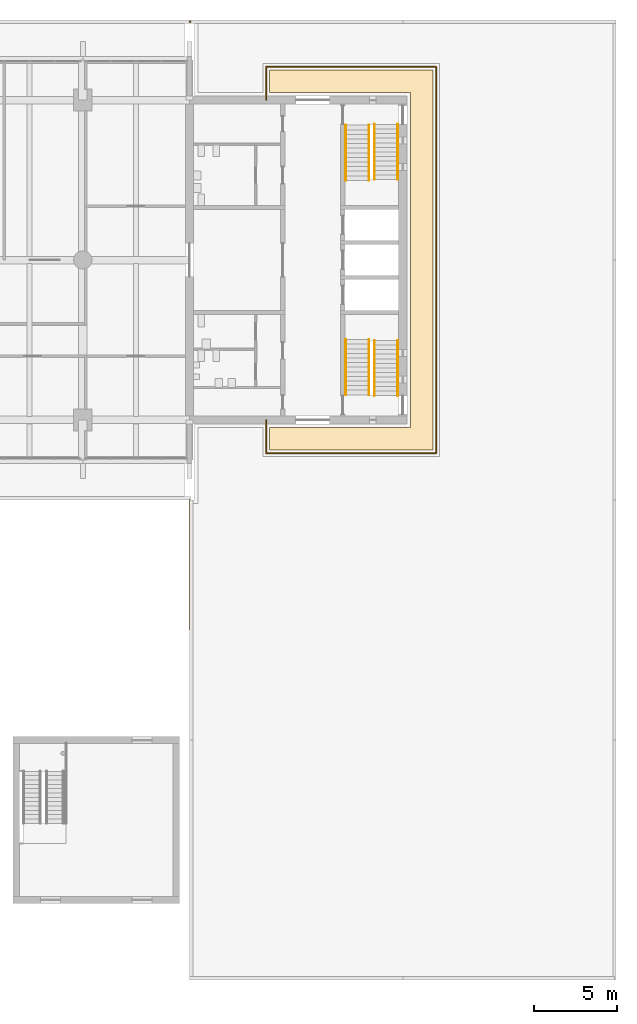
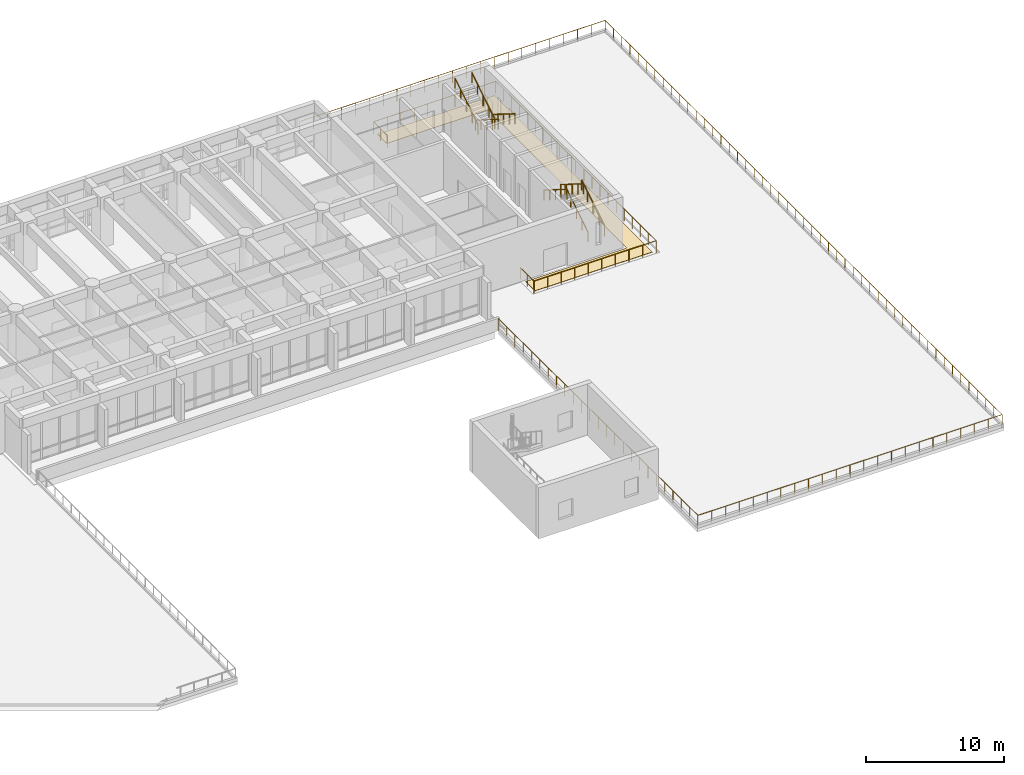
# One storey, part 20 of 21: 10 railings, 1 covering.
"""IFC4 building model written with IfcOpenShell, lengths in metres."""

from ifc_helpers import new_model, si_unit, direction, frame, origin, origin_2d, place, context, subcontext, project, spatial, polyline, circle, outline, extrude, material, layer, layer_set, type_object, element, save


model = new_model("IFC4")

# Units and contexts
model_context = context("Model", 3, precision=1e-05, world=origin(), true_north=direction((0.0, 1.0)))
body_context = subcontext(model_context, "Body", "Model", "MODEL_VIEW")
ifc_project = project(units=[si_unit("LENGTHUNIT", "METRE"), si_unit("AREAUNIT", "SQUARE_METRE"), si_unit("VOLUMEUNIT", "CUBIC_METRE"), si_unit("PLANEANGLEUNIT", "RADIAN"), si_unit("MASSUNIT", "GRAM", prefix="KILO")], contexts=[model_context])

# Site, building, storey
site_placement = place(None, origin())
site = spatial("IfcSite", under=ifc_project, at=site_placement, CompositionType="ELEMENT")
building_placement = place(site_placement, origin())
building = spatial("IfcBuilding", under=site, at=building_placement, Name="Fogon Plaza Fire Station and Headquarters Tower", CompositionType="ELEMENT")
storey_placement = place(building_placement, frame((0.0, 0.0, 8.39990234375)))
storey = spatial("IfcBuildingStorey", under=building, at=storey_placement, Name="L02", CompositionType="ELEMENT", Elevation=8.39990234375)

# Covering
ifc_material_1 = material(Name="Hardwood decking", Category="wood")
ifc_layer = layer(ifc_material_1, 0.030029296875)
ifc_layer_set = layer_set([ifc_layer], Name="Hardwood decking")
covering_type = type_object("IfcCoveringType", Name="Hardwood Terrace Decking 30", PredefinedType="FLOORING", material=ifc_layer_set)
covering_placement = place(storey_placement, origin())
element("IfcCovering", 1, at=covering_placement, inside=storey, type_object=covering_type, Name="Terrace decking E", PredefinedType="FLOORING", context=body_context, shape_type="SweptSolid", body=[
    extrude(outline(polyline([(68.800048828125, 54.60009765625), (78.60009765625, 54.60009765625), (78.60009765625, 31.800048828125), (68.800048828125, 31.800048828125), (68.800048828125, 33.14990234375), (77.25, 33.14990234375), (77.25, 53.25), (68.800048828125, 53.25), (68.800048828125, 54.60009765625)])), origin(), (0.0, 0.0, 1.0), 0.030029296875),
])

# Railings
ifc_material_2 = material(Name="Steel", Category="steel")
railing_type_1 = type_object("IfcRailingType", Name="Stair Handrail 900", PredefinedType="HANDRAIL", material=ifc_material_2)
for number, where, name in (
    (2, (76.5, 35.06005859375, 0.173095703125), "Handrail ST3"),
    (3, (75.10009765625, 35.06005859375, 0.173095703125), "Handrail ST3"),
):
    element("IfcRailing", number, at=place(storey_placement, frame(where)), inside=storey, type_object=railing_type_1, Name=name, PredefinedType="HANDRAIL", context=body_context, shape_type="SweptSolid", body=[
        extrude(circle(Radius=0.02392578125, at=origin_2d()), frame((0.0, 0.0, 0.8759765625), z_axis=(0.0, 0.847415758042, 0.530929875804), x_axis=(-1.0, 0.0, 0.0)), (0.0, 0.0, 1.0), 3.911865234375),
        extrude(circle(Radius=0.02099609375, at=origin_2d()), origin(), (0.0, 0.0, 1.0), 0.851806640625),
        extrude(circle(Radius=0.02099609375, at=origin_2d()), frame((0.0, 0.82861328125, 0.519287109375)), (0.0, 0.0, 1.0), 0.851806640625),
        extrude(circle(Radius=0.02099609375, at=origin_2d()), frame((0.0, 1.657470703125, 1.03857421875)), (0.0, 0.0, 1.0), 0.851806640625),
        extrude(circle(Radius=0.02099609375, at=origin_2d()), frame((0.0, 2.486328125, 1.5576171875)), (0.0, 0.0, 1.0), 0.851806640625),
        extrude(circle(Radius=0.02099609375, at=origin_2d()), frame((0.0, 3.31494140625, 2.076904296875)), (0.0, 0.0, 1.0), 0.851806640625),
    ])
for number, where, name in (
    (4, (73.375, 38.425048828125, 2.423095703125), "Handrail ST3"),
    (5, (74.77490234375, 38.425048828125, 2.423095703125), "Handrail ST3"),
):
    element("IfcRailing", number, at=place(storey_placement, frame(where)), inside=storey, type_object=railing_type_1, Name=name, PredefinedType="HANDRAIL", context=body_context, shape_type="SweptSolid", body=[
        extrude(circle(Radius=0.02392578125, at=origin_2d()), frame((0.0, 0.0, 0.8759765625), z_axis=(0.0, -0.847415758042, 0.530929875804), x_axis=(1.0, 0.0, 0.0)), (0.0, 0.0, 1.0), 3.911865234375),
        extrude(circle(Radius=0.02099609375, at=origin_2d()), origin(), (0.0, 0.0, 1.0), 0.851806640625),
        extrude(circle(Radius=0.02099609375, at=origin_2d()), frame((0.0, -0.82861328125, 0.519287109375)), (0.0, 0.0, 1.0), 0.851806640625),
        extrude(circle(Radius=0.02099609375, at=origin_2d()), frame((0.0, -1.657470703125, 1.03857421875)), (0.0, 0.0, 1.0), 0.851806640625),
        extrude(circle(Radius=0.02099609375, at=origin_2d()), frame((0.0, -2.486328125, 1.5576171875)), (0.0, 0.0, 1.0), 0.851806640625),
        extrude(circle(Radius=0.02099609375, at=origin_2d()), frame((0.0, -3.31494140625, 2.076904296875)), (0.0, 0.0, 1.0), 0.851806640625),
    ])
for number, where, name in (
    (6, (76.5, 51.340087890625, 0.173095703125), "Handrail ST4"),
    (7, (75.10009765625, 51.340087890625, 0.173095703125), "Handrail ST4"),
):
    element("IfcRailing", number, at=place(storey_placement, frame(where)), inside=storey, type_object=railing_type_1, Name=name, PredefinedType="HANDRAIL", context=body_context, shape_type="SweptSolid", body=[
        extrude(circle(Radius=0.02392578125, at=origin_2d()), frame((0.0, 0.0, 0.8759765625), z_axis=(0.0, -0.847433349451, 0.53090179717), x_axis=(1.0, 0.0, 0.0)), (0.0, 0.0, 1.0), 3.912109375),
        extrude(circle(Radius=0.02099609375, at=origin_2d()), origin(), (0.0, 0.0, 1.0), 0.851806640625),
        extrude(circle(Radius=0.02099609375, at=origin_2d()), frame((0.0, -0.828857421875, 0.519287109375)), (0.0, 0.0, 1.0), 0.851806640625),
        extrude(circle(Radius=0.02099609375, at=origin_2d()), frame((0.0, -1.65771484375, 1.03857421875)), (0.0, 0.0, 1.0), 0.851806640625),
        extrude(circle(Radius=0.02099609375, at=origin_2d()), frame((0.0, -2.486328125, 1.5576171875)), (0.0, 0.0, 1.0), 0.851806640625),
        extrude(circle(Radius=0.02099609375, at=origin_2d()), frame((0.0, -3.315185546875, 2.076904296875)), (0.0, 0.0, 1.0), 0.851806640625),
    ])
for number, where, name in (
    (8, (73.375, 47.97509765625, 2.423095703125), "Handrail ST4"),
    (9, (74.77490234375, 47.97509765625, 2.423095703125), "Handrail ST4"),
):
    element("IfcRailing", number, at=place(storey_placement, frame(where)), inside=storey, type_object=railing_type_1, Name=name, PredefinedType="HANDRAIL", context=body_context, shape_type="SweptSolid", body=[
        extrude(circle(Radius=0.02392578125, at=origin_2d()), frame((0.0, 0.0, 0.8759765625), z_axis=(0.0, 0.847415758042, 0.530929875804), x_axis=(-1.0, 0.0, 0.0)), (0.0, 0.0, 1.0), 3.911865234375),
        extrude(circle(Radius=0.02099609375, at=origin_2d()), origin(), (0.0, 0.0, 1.0), 0.851806640625),
        extrude(circle(Radius=0.02099609375, at=origin_2d()), frame((0.0, 0.82861328125, 0.519287109375)), (0.0, 0.0, 1.0), 0.851806640625),
        extrude(circle(Radius=0.02099609375, at=origin_2d()), frame((0.0, 1.657470703125, 1.03857421875)), (0.0, 0.0, 1.0), 0.851806640625),
        extrude(circle(Radius=0.02099609375, at=origin_2d()), frame((0.0, 2.486328125, 1.5576171875)), (0.0, 0.0, 1.0), 0.851806640625),
        extrude(circle(Radius=0.02099609375, at=origin_2d()), frame((0.0, 3.31494140625, 2.076904296875)), (0.0, 0.0, 1.0), 0.851806640625),
    ])
ifc_material_3 = material(Name="Galvanised Steel", Category="steel")
railing_type_2 = type_object("IfcRailingType", Name="Terrace Guard Steel 1100", PredefinedType="GUARDRAIL", material=ifc_material_3)
railing_1_placement = place(storey_placement, frame((64.0, 28.800048828125, 0.0)))
element("IfcRailing", 10, at=railing_1_placement, inside=storey, type_object=railing_type_2, Name="rail-L02-terrace-TE", PredefinedType="GUARDRAIL", context=body_context, shape_type="SweptSolid", body=[
    extrude(circle(Radius=0.02392578125, at=origin_2d()), frame((0.0, 0.0, 1.076171875), z_axis=(0.003487707935, -0.999993917928, 0.0), x_axis=(0.999993917928, 0.003487707935, 0.0)), (0.0, 0.0, 1.0), 28.7001953125),
    extrude(circle(Radius=0.02392578125, at=origin_2d()), frame((0.10009765625, -28.699951171875, 1.076171875), z_axis=(1.0, 0.0, 0.0), x_axis=(0.0, 1.0, 0.0)), (0.0, 0.0, 1.0), 25.39990234375),
    extrude(circle(Radius=0.02392578125, at=origin_2d()), frame((25.5, -28.699951171875, 1.076171875), z_axis=(0.0, 1.0, 0.0), x_axis=(-1.0, 0.0, 0.0)), (0.0, 0.0, 1.0), 57.39990234375),
    extrude(circle(Radius=0.02392578125, at=origin_2d()), frame((25.5, 28.699951171875, 1.076171875), z_axis=(-1.0, 0.0, 0.0), x_axis=(0.0, -1.0, 0.0)), (0.0, 0.0, 1.0), 25.5),
    extrude(circle(Radius=0.02099609375, at=origin_2d()), origin(), (0.0, 0.0, 1.0), 1.052001953125),
    extrude(circle(Radius=0.02099609375, at=origin_2d()), frame((0.004150390625, -1.19580078125, 0.0)), (0.0, 0.0, 1.0), 1.052001953125),
    extrude(circle(Radius=0.02099609375, at=origin_2d()), frame((0.00830078125, -2.3916015625, 0.0)), (0.0, 0.0, 1.0), 1.052001953125),
    extrude(circle(Radius=0.02099609375, at=origin_2d()), frame((0.012451171875, -3.58740234375, 0.0)), (0.0, 0.0, 1.0), 1.052001953125),
    extrude(circle(Radius=0.02099609375, at=origin_2d()), frame((0.0166015625, -4.783203125, 0.0)), (0.0, 0.0, 1.0), 1.052001953125),
    extrude(circle(Radius=0.02099609375, at=origin_2d()), frame((0.020751953125, -5.979248046875, 0.0)), (0.0, 0.0, 1.0), 1.052001953125),
    extrude(circle(Radius=0.02099609375, at=origin_2d()), frame((0.02490234375, -7.175048828125, 0.0)), (0.0, 0.0, 1.0), 1.052001953125),
    extrude(circle(Radius=0.02099609375, at=origin_2d()), frame((0.029296875, -8.370849609375, 0.0)), (0.0, 0.0, 1.0), 1.052001953125),
    extrude(circle(Radius=0.02099609375, at=origin_2d()), frame((0.033447265625, -9.566650390625, 0.0)), (0.0, 0.0, 1.0), 1.052001953125),
    extrude(circle(Radius=0.02099609375, at=origin_2d()), frame((0.03759765625, -10.762451171875, 0.0)), (0.0, 0.0, 1.0), 1.052001953125),
    extrude(circle(Radius=0.02099609375, at=origin_2d()), frame((0.041748046875, -11.958251953125, 0.0)), (0.0, 0.0, 1.0), 1.052001953125),
    extrude(circle(Radius=0.02099609375, at=origin_2d()), frame((0.0458984375, -13.154052734375, 0.0)), (0.0, 0.0, 1.0), 1.052001953125),
    extrude(circle(Radius=0.02099609375, at=origin_2d()), frame((0.050048828125, -14.35009765625, 0.0)), (0.0, 0.0, 1.0), 1.052001953125),
    extrude(circle(Radius=0.02099609375, at=origin_2d()), frame((0.05419921875, -15.5458984375, 0.0)), (0.0, 0.0, 1.0), 1.052001953125),
    extrude(circle(Radius=0.02099609375, at=origin_2d()), frame((0.058349609375, -16.74169921875, 0.0)), (0.0, 0.0, 1.0), 1.052001953125),
    extrude(circle(Radius=0.02099609375, at=origin_2d()), frame((0.0625, -17.9375, 0.0)), (0.0, 0.0, 1.0), 1.052001953125),
    extrude(circle(Radius=0.02099609375, at=origin_2d()), frame((0.066650390625, -19.13330078125, 0.0)), (0.0, 0.0, 1.0), 1.052001953125),
    extrude(circle(Radius=0.02099609375, at=origin_2d()), frame((0.07080078125, -20.3291015625, 0.0)), (0.0, 0.0, 1.0), 1.052001953125),
    extrude(circle(Radius=0.02099609375, at=origin_2d()), frame((0.0751953125, -21.52490234375, 0.0)), (0.0, 0.0, 1.0), 1.052001953125),
    extrude(circle(Radius=0.02099609375, at=origin_2d()), frame((0.079345703125, -22.720703125, 0.0)), (0.0, 0.0, 1.0), 1.052001953125),
    extrude(circle(Radius=0.02099609375, at=origin_2d()), frame((0.08349609375, -23.91650390625, 0.0)), (0.0, 0.0, 1.0), 1.052001953125),
    extrude(circle(Radius=0.02099609375, at=origin_2d()), frame((0.087646484375, -25.112548828125, 0.0)), (0.0, 0.0, 1.0), 1.052001953125),
    extrude(circle(Radius=0.02099609375, at=origin_2d()), frame((0.091796875, -26.308349609375, 0.0)), (0.0, 0.0, 1.0), 1.052001953125),
    extrude(circle(Radius=0.02099609375, at=origin_2d()), frame((0.095947265625, -27.504150390625, 0.0)), (0.0, 0.0, 1.0), 1.052001953125),
    extrude(circle(Radius=0.02099609375, at=origin_2d()), frame((0.10009765625, -28.699951171875, 0.0)), (0.0, 0.0, 1.0), 1.052001953125),
    extrude(circle(Radius=0.02099609375, at=origin_2d()), frame((1.254638671875, -28.699951171875, 0.0)), (0.0, 0.0, 1.0), 1.052001953125),
    extrude(circle(Radius=0.02099609375, at=origin_2d()), frame((2.4091796875, -28.699951171875, 0.0)), (0.0, 0.0, 1.0), 1.052001953125),
    extrude(circle(Radius=0.02099609375, at=origin_2d()), frame((3.563720703125, -28.699951171875, 0.0)), (0.0, 0.0, 1.0), 1.052001953125),
    extrude(circle(Radius=0.02099609375, at=origin_2d()), frame((4.71826171875, -28.699951171875, 0.0)), (0.0, 0.0, 1.0), 1.052001953125),
    extrude(circle(Radius=0.02099609375, at=origin_2d()), frame((5.872802734375, -28.699951171875, 0.0)), (0.0, 0.0, 1.0), 1.052001953125),
    extrude(circle(Radius=0.02099609375, at=origin_2d()), frame((7.02734375, -28.699951171875, 0.0)), (0.0, 0.0, 1.0), 1.052001953125),
    extrude(circle(Radius=0.02099609375, at=origin_2d()), frame((8.181884765625, -28.699951171875, 0.0)), (0.0, 0.0, 1.0), 1.052001953125),
    extrude(circle(Radius=0.02099609375, at=origin_2d()), frame((9.33642578125, -28.699951171875, 0.0)), (0.0, 0.0, 1.0), 1.052001953125),
    extrude(circle(Radius=0.02099609375, at=origin_2d()), frame((10.490966796875, -28.699951171875, 0.0)), (0.0, 0.0, 1.0), 1.052001953125),
    extrude(circle(Radius=0.02099609375, at=origin_2d()), frame((11.6455078125, -28.699951171875, 0.0)), (0.0, 0.0, 1.0), 1.052001953125),
    extrude(circle(Radius=0.02099609375, at=origin_2d()), frame((12.800048828125, -28.699951171875, 0.0)), (0.0, 0.0, 1.0), 1.052001953125),
    extrude(circle(Radius=0.02099609375, at=origin_2d()), frame((13.95458984375, -28.699951171875, 0.0)), (0.0, 0.0, 1.0), 1.052001953125),
    extrude(circle(Radius=0.02099609375, at=origin_2d()), frame((15.109130859375, -28.699951171875, 0.0)), (0.0, 0.0, 1.0), 1.052001953125),
    extrude(circle(Radius=0.02099609375, at=origin_2d()), frame((16.263671875, -28.699951171875, 0.0)), (0.0, 0.0, 1.0), 1.052001953125),
    extrude(circle(Radius=0.02099609375, at=origin_2d()), frame((17.418212890625, -28.699951171875, 0.0)), (0.0, 0.0, 1.0), 1.052001953125),
    extrude(circle(Radius=0.02099609375, at=origin_2d()), frame((18.57275390625, -28.699951171875, 0.0)), (0.0, 0.0, 1.0), 1.052001953125),
    extrude(circle(Radius=0.02099609375, at=origin_2d()), frame((19.727294921875, -28.699951171875, 0.0)), (0.0, 0.0, 1.0), 1.052001953125),
    extrude(circle(Radius=0.02099609375, at=origin_2d()), frame((20.8818359375, -28.699951171875, 0.0)), (0.0, 0.0, 1.0), 1.052001953125),
    extrude(circle(Radius=0.02099609375, at=origin_2d()), frame((22.036376953125, -28.699951171875, 0.0)), (0.0, 0.0, 1.0), 1.052001953125),
    extrude(circle(Radius=0.02099609375, at=origin_2d()), frame((23.19091796875, -28.699951171875, 0.0)), (0.0, 0.0, 1.0), 1.052001953125),
    extrude(circle(Radius=0.02099609375, at=origin_2d()), frame((24.345458984375, -28.699951171875, 0.0)), (0.0, 0.0, 1.0), 1.052001953125),
    extrude(circle(Radius=0.02099609375, at=origin_2d()), frame((25.5, -28.699951171875, 0.0)), (0.0, 0.0, 1.0), 1.052001953125),
    extrude(circle(Radius=0.02099609375, at=origin_2d()), frame((25.5, -27.504150390625, 0.0)), (0.0, 0.0, 1.0), 1.052001953125),
    extrude(circle(Radius=0.02099609375, at=origin_2d()), frame((25.5, -26.308349609375, 0.0)), (0.0, 0.0, 1.0), 1.052001953125),
    extrude(circle(Radius=0.02099609375, at=origin_2d()), frame((25.5, -25.112548828125, 0.0)), (0.0, 0.0, 1.0), 1.052001953125),
    extrude(circle(Radius=0.02099609375, at=origin_2d()), frame((25.5, -23.91650390625, 0.0)), (0.0, 0.0, 1.0), 1.052001953125),
    extrude(circle(Radius=0.02099609375, at=origin_2d()), frame((25.5, -22.720703125, 0.0)), (0.0, 0.0, 1.0), 1.052001953125),
    extrude(circle(Radius=0.02099609375, at=origin_2d()), frame((25.5, -21.52490234375, 0.0)), (0.0, 0.0, 1.0), 1.052001953125),
    extrude(circle(Radius=0.02099609375, at=origin_2d()), frame((25.5, -20.3291015625, 0.0)), (0.0, 0.0, 1.0), 1.052001953125),
    extrude(circle(Radius=0.02099609375, at=origin_2d()), frame((25.5, -19.13330078125, 0.0)), (0.0, 0.0, 1.0), 1.052001953125),
    extrude(circle(Radius=0.02099609375, at=origin_2d()), frame((25.5, -17.9375, 0.0)), (0.0, 0.0, 1.0), 1.052001953125),
    extrude(circle(Radius=0.02099609375, at=origin_2d()), frame((25.5, -16.74169921875, 0.0)), (0.0, 0.0, 1.0), 1.052001953125),
    extrude(circle(Radius=0.02099609375, at=origin_2d()), frame((25.5, -15.5458984375, 0.0)), (0.0, 0.0, 1.0), 1.052001953125),
    extrude(circle(Radius=0.02099609375, at=origin_2d()), frame((25.5, -14.35009765625, 0.0)), (0.0, 0.0, 1.0), 1.052001953125),
    extrude(circle(Radius=0.02099609375, at=origin_2d()), frame((25.5, -13.154052734375, 0.0)), (0.0, 0.0, 1.0), 1.052001953125),
    extrude(circle(Radius=0.02099609375, at=origin_2d()), frame((25.5, -11.958251953125, 0.0)), (0.0, 0.0, 1.0), 1.052001953125),
    extrude(circle(Radius=0.02099609375, at=origin_2d()), frame((25.5, -10.762451171875, 0.0)), (0.0, 0.0, 1.0), 1.052001953125),
    extrude(circle(Radius=0.02099609375, at=origin_2d()), frame((25.5, -9.566650390625, 0.0)), (0.0, 0.0, 1.0), 1.052001953125),
    extrude(circle(Radius=0.02099609375, at=origin_2d()), frame((25.5, -8.370849609375, 0.0)), (0.0, 0.0, 1.0), 1.052001953125),
    extrude(circle(Radius=0.02099609375, at=origin_2d()), frame((25.5, -7.175048828125, 0.0)), (0.0, 0.0, 1.0), 1.052001953125),
    extrude(circle(Radius=0.02099609375, at=origin_2d()), frame((25.5, -5.979248046875, 0.0)), (0.0, 0.0, 1.0), 1.052001953125),
    extrude(circle(Radius=0.02099609375, at=origin_2d()), frame((25.5, -4.783203125, 0.0)), (0.0, 0.0, 1.0), 1.052001953125),
    extrude(circle(Radius=0.02099609375, at=origin_2d()), frame((25.5, -3.58740234375, 0.0)), (0.0, 0.0, 1.0), 1.052001953125),
    extrude(circle(Radius=0.02099609375, at=origin_2d()), frame((25.5, -2.3916015625, 0.0)), (0.0, 0.0, 1.0), 1.052001953125),
    extrude(circle(Radius=0.02099609375, at=origin_2d()), frame((25.5, -1.19580078125, 0.0)), (0.0, 0.0, 1.0), 1.052001953125),
    extrude(circle(Radius=0.02099609375, at=origin_2d()), frame((25.5, 0.0, 0.0)), (0.0, 0.0, 1.0), 1.052001953125),
    extrude(circle(Radius=0.02099609375, at=origin_2d()), frame((25.5, 1.19580078125, 0.0)), (0.0, 0.0, 1.0), 1.052001953125),
    extrude(circle(Radius=0.02099609375, at=origin_2d()), frame((25.5, 2.3916015625, 0.0)), (0.0, 0.0, 1.0), 1.052001953125),
    extrude(circle(Radius=0.02099609375, at=origin_2d()), frame((25.5, 3.58740234375, 0.0)), (0.0, 0.0, 1.0), 1.052001953125),
    extrude(circle(Radius=0.02099609375, at=origin_2d()), frame((25.5, 4.783203125, 0.0)), (0.0, 0.0, 1.0), 1.052001953125),
    extrude(circle(Radius=0.02099609375, at=origin_2d()), frame((25.5, 5.979248046875, 0.0)), (0.0, 0.0, 1.0), 1.052001953125),
    extrude(circle(Radius=0.02099609375, at=origin_2d()), frame((25.5, 7.175048828125, 0.0)), (0.0, 0.0, 1.0), 1.052001953125),
    extrude(circle(Radius=0.02099609375, at=origin_2d()), frame((25.5, 8.370849609375, 0.0)), (0.0, 0.0, 1.0), 1.052001953125),
    extrude(circle(Radius=0.02099609375, at=origin_2d()), frame((25.5, 9.566650390625, 0.0)), (0.0, 0.0, 1.0), 1.052001953125),
    extrude(circle(Radius=0.02099609375, at=origin_2d()), frame((25.5, 10.762451171875, 0.0)), (0.0, 0.0, 1.0), 1.052001953125),
    extrude(circle(Radius=0.02099609375, at=origin_2d()), frame((25.5, 11.958251953125, 0.0)), (0.0, 0.0, 1.0), 1.052001953125),
    extrude(circle(Radius=0.02099609375, at=origin_2d()), frame((25.5, 13.154052734375, 0.0)), (0.0, 0.0, 1.0), 1.052001953125),
    extrude(circle(Radius=0.02099609375, at=origin_2d()), frame((25.5, 14.35009765625, 0.0)), (0.0, 0.0, 1.0), 1.052001953125),
    extrude(circle(Radius=0.02099609375, at=origin_2d()), frame((25.5, 15.5458984375, 0.0)), (0.0, 0.0, 1.0), 1.052001953125),
    extrude(circle(Radius=0.02099609375, at=origin_2d()), frame((25.5, 16.74169921875, 0.0)), (0.0, 0.0, 1.0), 1.052001953125),
    extrude(circle(Radius=0.02099609375, at=origin_2d()), frame((25.5, 17.9375, 0.0)), (0.0, 0.0, 1.0), 1.052001953125),
    extrude(circle(Radius=0.02099609375, at=origin_2d()), frame((25.5, 19.13330078125, 0.0)), (0.0, 0.0, 1.0), 1.052001953125),
    extrude(circle(Radius=0.02099609375, at=origin_2d()), frame((25.5, 20.3291015625, 0.0)), (0.0, 0.0, 1.0), 1.052001953125),
    extrude(circle(Radius=0.02099609375, at=origin_2d()), frame((25.5, 21.52490234375, 0.0)), (0.0, 0.0, 1.0), 1.052001953125),
    extrude(circle(Radius=0.02099609375, at=origin_2d()), frame((25.5, 22.720703125, 0.0)), (0.0, 0.0, 1.0), 1.052001953125),
    extrude(circle(Radius=0.02099609375, at=origin_2d()), frame((25.5, 23.91650390625, 0.0)), (0.0, 0.0, 1.0), 1.052001953125),
    extrude(circle(Radius=0.02099609375, at=origin_2d()), frame((25.5, 25.112548828125, 0.0)), (0.0, 0.0, 1.0), 1.052001953125),
    extrude(circle(Radius=0.02099609375, at=origin_2d()), frame((25.5, 26.308349609375, 0.0)), (0.0, 0.0, 1.0), 1.052001953125),
    extrude(circle(Radius=0.02099609375, at=origin_2d()), frame((25.5, 27.504150390625, 0.0)), (0.0, 0.0, 1.0), 1.052001953125),
    extrude(circle(Radius=0.02099609375, at=origin_2d()), frame((25.5, 28.699951171875, 0.0)), (0.0, 0.0, 1.0), 1.052001953125),
    extrude(circle(Radius=0.02099609375, at=origin_2d()), frame((24.3408203125, 28.699951171875, 0.0)), (0.0, 0.0, 1.0), 1.052001953125),
    extrude(circle(Radius=0.02099609375, at=origin_2d()), frame((23.181884765625, 28.699951171875, 0.0)), (0.0, 0.0, 1.0), 1.052001953125),
    extrude(circle(Radius=0.02099609375, at=origin_2d()), frame((22.022705078125, 28.699951171875, 0.0)), (0.0, 0.0, 1.0), 1.052001953125),
    extrude(circle(Radius=0.02099609375, at=origin_2d()), frame((20.863525390625, 28.699951171875, 0.0)), (0.0, 0.0, 1.0), 1.052001953125),
    extrude(circle(Radius=0.02099609375, at=origin_2d()), frame((19.70458984375, 28.699951171875, 0.0)), (0.0, 0.0, 1.0), 1.052001953125),
    extrude(circle(Radius=0.02099609375, at=origin_2d()), frame((18.54541015625, 28.699951171875, 0.0)), (0.0, 0.0, 1.0), 1.052001953125),
    extrude(circle(Radius=0.02099609375, at=origin_2d()), frame((17.386474609375, 28.699951171875, 0.0)), (0.0, 0.0, 1.0), 1.052001953125),
    extrude(circle(Radius=0.02099609375, at=origin_2d()), frame((16.227294921875, 28.699951171875, 0.0)), (0.0, 0.0, 1.0), 1.052001953125),
    extrude(circle(Radius=0.02099609375, at=origin_2d()), frame((15.068115234375, 28.699951171875, 0.0)), (0.0, 0.0, 1.0), 1.052001953125),
    extrude(circle(Radius=0.02099609375, at=origin_2d()), frame((13.9091796875, 28.699951171875, 0.0)), (0.0, 0.0, 1.0), 1.052001953125),
    extrude(circle(Radius=0.02099609375, at=origin_2d()), frame((12.75, 28.699951171875, 0.0)), (0.0, 0.0, 1.0), 1.052001953125),
    extrude(circle(Radius=0.02099609375, at=origin_2d()), frame((11.5908203125, 28.699951171875, 0.0)), (0.0, 0.0, 1.0), 1.052001953125),
    extrude(circle(Radius=0.02099609375, at=origin_2d()), frame((10.431884765625, 28.699951171875, 0.0)), (0.0, 0.0, 1.0), 1.052001953125),
    extrude(circle(Radius=0.02099609375, at=origin_2d()), frame((9.272705078125, 28.699951171875, 0.0)), (0.0, 0.0, 1.0), 1.052001953125),
    extrude(circle(Radius=0.02099609375, at=origin_2d()), frame((8.113525390625, 28.699951171875, 0.0)), (0.0, 0.0, 1.0), 1.052001953125),
    extrude(circle(Radius=0.02099609375, at=origin_2d()), frame((6.95458984375, 28.699951171875, 0.0)), (0.0, 0.0, 1.0), 1.052001953125),
    extrude(circle(Radius=0.02099609375, at=origin_2d()), frame((5.79541015625, 28.699951171875, 0.0)), (0.0, 0.0, 1.0), 1.052001953125),
    extrude(circle(Radius=0.02099609375, at=origin_2d()), frame((4.636474609375, 28.699951171875, 0.0)), (0.0, 0.0, 1.0), 1.052001953125),
    extrude(circle(Radius=0.02099609375, at=origin_2d()), frame((3.477294921875, 28.699951171875, 0.0)), (0.0, 0.0, 1.0), 1.052001953125),
    extrude(circle(Radius=0.02099609375, at=origin_2d()), frame((2.318115234375, 28.699951171875, 0.0)), (0.0, 0.0, 1.0), 1.052001953125),
    extrude(circle(Radius=0.02099609375, at=origin_2d()), frame((1.1591796875, 28.699951171875, 0.0)), (0.0, 0.0, 1.0), 1.052001953125),
    extrude(circle(Radius=0.02099609375, at=origin_2d()), frame((0.0, 28.699951171875, 0.0)), (0.0, 0.0, 1.0), 1.052001953125),
])
railing_2_placement = place(storey_placement, frame((68.60009765625, 52.800048828125, 0.0)))
element("IfcRailing", 11, at=railing_2_placement, inside=storey, type_object=railing_type_2, Name="rail-L02-terrace-TE-inner", PredefinedType="GUARDRAIL", context=body_context, shape_type="SweptSolid", body=[
    extrude(circle(Radius=0.02392578125, at=origin_2d()), frame((0.0, 0.0, 1.076171875), z_axis=(0.0, 1.0, 0.0), x_axis=(-1.0, 0.0, 0.0)), (0.0, 0.0, 1.0), 2.0),
    extrude(circle(Radius=0.02392578125, at=origin_2d()), frame((0.0, 2.0, 1.076171875), z_axis=(1.0, 0.0, 0.0), x_axis=(0.0, 1.0, 0.0)), (0.0, 0.0, 1.0), 10.199951171875),
    extrude(circle(Radius=0.02392578125, at=origin_2d()), frame((10.199951171875, 2.0, 1.076171875), z_axis=(0.0, -1.0, 0.0), x_axis=(1.0, 0.0, 0.0)), (0.0, 0.0, 1.0), 23.199951171875),
    extrude(circle(Radius=0.02392578125, at=origin_2d()), frame((10.199951171875, -21.199951171875, 1.076171875), z_axis=(-1.0, 0.0, 0.0), x_axis=(0.0, -1.0, 0.0)), (0.0, 0.0, 1.0), 10.199951171875),
    extrude(circle(Radius=0.02392578125, at=origin_2d()), frame((0.0, -21.199951171875, 1.076171875), z_axis=(0.0, 1.0, 0.0), x_axis=(-1.0, 0.0, 0.0)), (0.0, 0.0, 1.0), 2.0),
    extrude(circle(Radius=0.02099609375, at=origin_2d()), origin(), (0.0, 0.0, 1.0), 1.052001953125),
    extrude(circle(Radius=0.02099609375, at=origin_2d()), frame((0.0, 1.0, 0.0)), (0.0, 0.0, 1.0), 1.052001953125),
    extrude(circle(Radius=0.02099609375, at=origin_2d()), frame((0.0, 2.0, 0.0)), (0.0, 0.0, 1.0), 1.052001953125),
    extrude(circle(Radius=0.02099609375, at=origin_2d()), frame((1.13330078125, 2.0, 0.0)), (0.0, 0.0, 1.0), 1.052001953125),
    extrude(circle(Radius=0.02099609375, at=origin_2d()), frame((2.2666015625, 2.0, 0.0)), (0.0, 0.0, 1.0), 1.052001953125),
    extrude(circle(Radius=0.02099609375, at=origin_2d()), frame((3.39990234375, 2.0, 0.0)), (0.0, 0.0, 1.0), 1.052001953125),
    extrude(circle(Radius=0.02099609375, at=origin_2d()), frame((4.533203125, 2.0, 0.0)), (0.0, 0.0, 1.0), 1.052001953125),
    extrude(circle(Radius=0.02099609375, at=origin_2d()), frame((5.666748046875, 2.0, 0.0)), (0.0, 0.0, 1.0), 1.052001953125),
    extrude(circle(Radius=0.02099609375, at=origin_2d()), frame((6.800048828125, 2.0, 0.0)), (0.0, 0.0, 1.0), 1.052001953125),
    extrude(circle(Radius=0.02099609375, at=origin_2d()), frame((7.933349609375, 2.0, 0.0)), (0.0, 0.0, 1.0), 1.052001953125),
    extrude(circle(Radius=0.02099609375, at=origin_2d()), frame((9.066650390625, 2.0, 0.0)), (0.0, 0.0, 1.0), 1.052001953125),
    extrude(circle(Radius=0.02099609375, at=origin_2d()), frame((10.199951171875, 2.0, 0.0)), (0.0, 0.0, 1.0), 1.052001953125),
    extrude(circle(Radius=0.02099609375, at=origin_2d()), frame((10.199951171875, 0.840087890625, 0.0)), (0.0, 0.0, 1.0), 1.052001953125),
    extrude(circle(Radius=0.02099609375, at=origin_2d()), frame((10.199951171875, -0.320068359375, 0.0)), (0.0, 0.0, 1.0), 1.052001953125),
    extrude(circle(Radius=0.02099609375, at=origin_2d()), frame((10.199951171875, -1.47998046875, 0.0)), (0.0, 0.0, 1.0), 1.052001953125),
    extrude(circle(Radius=0.02099609375, at=origin_2d()), frame((10.199951171875, -2.639892578125, 0.0)), (0.0, 0.0, 1.0), 1.052001953125),
    extrude(circle(Radius=0.02099609375, at=origin_2d()), frame((10.199951171875, -3.800048828125, 0.0)), (0.0, 0.0, 1.0), 1.052001953125),
    extrude(circle(Radius=0.02099609375, at=origin_2d()), frame((10.199951171875, -4.9599609375, 0.0)), (0.0, 0.0, 1.0), 1.052001953125),
    extrude(circle(Radius=0.02099609375, at=origin_2d()), frame((10.199951171875, -6.119873046875, 0.0)), (0.0, 0.0, 1.0), 1.052001953125),
    extrude(circle(Radius=0.02099609375, at=origin_2d()), frame((10.199951171875, -7.280029296875, 0.0)), (0.0, 0.0, 1.0), 1.052001953125),
    extrude(circle(Radius=0.02099609375, at=origin_2d()), frame((10.199951171875, -8.43994140625, 0.0)), (0.0, 0.0, 1.0), 1.052001953125),
    extrude(circle(Radius=0.02099609375, at=origin_2d()), frame((10.199951171875, -9.60009765625, 0.0)), (0.0, 0.0, 1.0), 1.052001953125),
    extrude(circle(Radius=0.02099609375, at=origin_2d()), frame((10.199951171875, -10.760009765625, 0.0)), (0.0, 0.0, 1.0), 1.052001953125),
    extrude(circle(Radius=0.02099609375, at=origin_2d()), frame((10.199951171875, -11.919921875, 0.0)), (0.0, 0.0, 1.0), 1.052001953125),
    extrude(circle(Radius=0.02099609375, at=origin_2d()), frame((10.199951171875, -13.080078125, 0.0)), (0.0, 0.0, 1.0), 1.052001953125),
    extrude(circle(Radius=0.02099609375, at=origin_2d()), frame((10.199951171875, -14.239990234375, 0.0)), (0.0, 0.0, 1.0), 1.052001953125),
    extrude(circle(Radius=0.02099609375, at=origin_2d()), frame((10.199951171875, -15.39990234375, 0.0)), (0.0, 0.0, 1.0), 1.052001953125),
    extrude(circle(Radius=0.02099609375, at=origin_2d()), frame((10.199951171875, -16.56005859375, 0.0)), (0.0, 0.0, 1.0), 1.052001953125),
    extrude(circle(Radius=0.02099609375, at=origin_2d()), frame((10.199951171875, -17.719970703125, 0.0)), (0.0, 0.0, 1.0), 1.052001953125),
    extrude(circle(Radius=0.02099609375, at=origin_2d()), frame((10.199951171875, -18.8798828125, 0.0)), (0.0, 0.0, 1.0), 1.052001953125),
    extrude(circle(Radius=0.02099609375, at=origin_2d()), frame((10.199951171875, -20.0400390625, 0.0)), (0.0, 0.0, 1.0), 1.052001953125),
    extrude(circle(Radius=0.02099609375, at=origin_2d()), frame((10.199951171875, -21.199951171875, 0.0)), (0.0, 0.0, 1.0), 1.052001953125),
    extrude(circle(Radius=0.02099609375, at=origin_2d()), frame((9.066650390625, -21.199951171875, 0.0)), (0.0, 0.0, 1.0), 1.052001953125),
    extrude(circle(Radius=0.02099609375, at=origin_2d()), frame((7.933349609375, -21.199951171875, 0.0)), (0.0, 0.0, 1.0), 1.052001953125),
    extrude(circle(Radius=0.02099609375, at=origin_2d()), frame((6.800048828125, -21.199951171875, 0.0)), (0.0, 0.0, 1.0), 1.052001953125),
    extrude(circle(Radius=0.02099609375, at=origin_2d()), frame((5.666748046875, -21.199951171875, 0.0)), (0.0, 0.0, 1.0), 1.052001953125),
    extrude(circle(Radius=0.02099609375, at=origin_2d()), frame((4.533203125, -21.199951171875, 0.0)), (0.0, 0.0, 1.0), 1.052001953125),
    extrude(circle(Radius=0.02099609375, at=origin_2d()), frame((3.39990234375, -21.199951171875, 0.0)), (0.0, 0.0, 1.0), 1.052001953125),
    extrude(circle(Radius=0.02099609375, at=origin_2d()), frame((2.2666015625, -21.199951171875, 0.0)), (0.0, 0.0, 1.0), 1.052001953125),
    extrude(circle(Radius=0.02099609375, at=origin_2d()), frame((1.13330078125, -21.199951171875, 0.0)), (0.0, 0.0, 1.0), 1.052001953125),
    extrude(circle(Radius=0.02099609375, at=origin_2d()), frame((0.0, -21.199951171875, 0.0)), (0.0, 0.0, 1.0), 1.052001953125),
    extrude(circle(Radius=0.02099609375, at=origin_2d()), frame((0.0, -20.199951171875, 0.0)), (0.0, 0.0, 1.0), 1.052001953125),
    extrude(circle(Radius=0.02099609375, at=origin_2d()), frame((0.0, -19.199951171875, 0.0)), (0.0, 0.0, 1.0), 1.052001953125),
])

save(model, "model.ifc")
